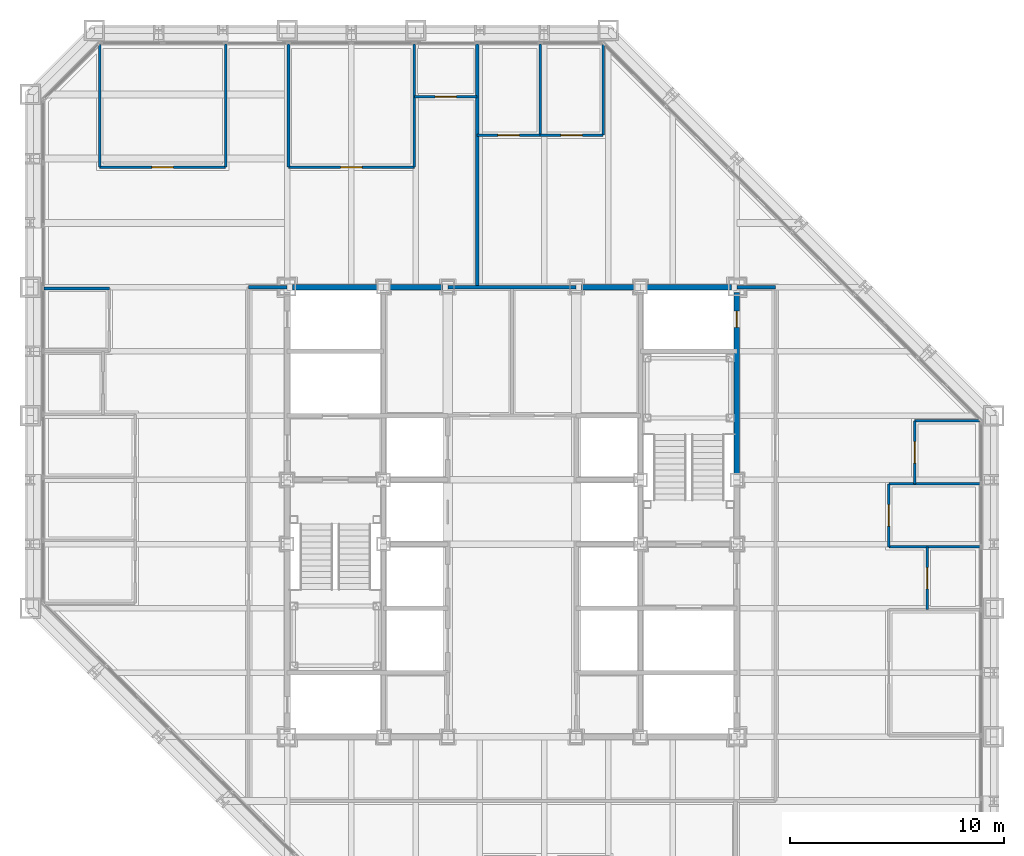
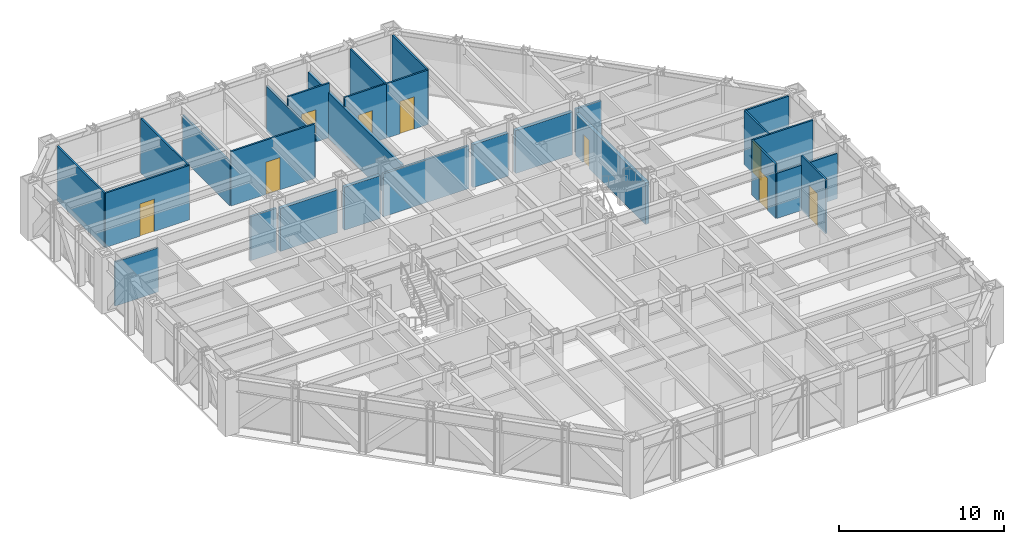
# One storey, part 12 of 16: 27 walls, 9 doors, 9 openings.
"""IFC4 building model written with IfcOpenShell, lengths in metres."""

from ifc_helpers import new_model, si_unit, direction, frame, frame_2d, origin, place, context, subcontext, project, spatial, rectangle, extrude, material, layer, layer_set, type_object, element, fill, save


model = new_model("IFC4")

# Units and contexts
model_context = context("Model", 3, precision=1e-05, world=origin(), true_north=direction((0.0, 1.0)))
body_context = subcontext(model_context, "Body", "Model", "MODEL_VIEW")
ifc_project = project(units=[si_unit("LENGTHUNIT", "METRE"), si_unit("AREAUNIT", "SQUARE_METRE"), si_unit("VOLUMEUNIT", "CUBIC_METRE"), si_unit("PLANEANGLEUNIT", "RADIAN"), si_unit("MASSUNIT", "GRAM", prefix="KILO")], contexts=[model_context])

# Site, building, storey
site_placement = place(None, origin())
site = spatial("IfcSite", under=ifc_project, at=site_placement, CompositionType="ELEMENT")
building_placement = place(site_placement, origin())
building = spatial("IfcBuilding", under=site, at=building_placement, Name="Chuquiago Exchange Tower", CompositionType="ELEMENT")
storey_placement = place(building_placement, frame((0.0, 0.0, 153.0)))
storey = spatial("IfcBuildingStorey", under=building, at=storey_placement, Name="L33", CompositionType="ELEMENT", Elevation=153.0)

# Walls
ifc_material_1 = material(Name="Concrete masonry, fully grouted", Category="masonry")
ifc_layer_1 = layer(ifc_material_1, 0.25)
ifc_layer_set_1 = layer_set([ifc_layer_1], Name="W1 core wall 250")
wall_type_1 = type_object("IfcWallType", Name="W1 core wall 250", PredefinedType="SOLIDWALL", material=ifc_layer_set_1)
wall_1_placement = place(storey_placement, frame((12.25, 33.0, 0.0), z_axis=(0.0, 0.0, 1.0), x_axis=(1.0, 0.0, 0.0)))
element("IfcWall", 1, at=wall_1_placement, inside=storey, type_object=wall_type_1, Name="CW-L33-11-0", PredefinedType="SOLIDWALL", context=body_context, shape_type="SweptSolid", body=[
    extrude(rectangle(XDim=4.0, YDim=0.25, at=frame_2d((2.0, 0.0))), origin(), (0.0, 0.0, 1.0), 3.181396484375),
])
for number, where, z_axis, x_axis, name in (
    (2, (16.75, 33.0, 0.0), (0.0, 0.0, 1.0), (1.0, 0.0, 0.0), "CW-L33-11-1"),
    (3, (25.75, 33.0, 0.0), (0.0, 0.0, 1.0), (1.0, 0.0, 0.0), "CW-L33-12-0"),
):
    element("IfcWall", number, at=place(storey_placement, frame(where, z_axis=z_axis, x_axis=x_axis)), inside=storey, type_object=wall_type_1, Name=name, PredefinedType="SOLIDWALL", context=body_context, shape_type="SweptSolid", body=[
        extrude(rectangle(XDim=2.5, YDim=0.25, at=frame_2d((1.25, 0.0))), origin(), (0.0, 0.0, 1.0), 3.181396484375),
    ])
wall_2_placement = place(storey_placement, frame((28.75, 33.0, 0.0), z_axis=(0.0, 0.0, 1.0), x_axis=(1.0, 0.0, 0.0)))
element("IfcWall", 4, at=wall_2_placement, inside=storey, type_object=wall_type_1, Name="CW-L33-12-1", PredefinedType="SOLIDWALL", context=body_context, shape_type="SweptSolid", body=[
    extrude(rectangle(XDim=4.0, YDim=0.25, at=frame_2d((2.0, 0.0))), origin(), (0.0, 0.0, 1.0), 3.181396484375),
])

# Wall, opening, door
wall_3_placement = place(storey_placement, frame((33.0, 24.25, 0.0), z_axis=(0.0, 0.0, 1.0), x_axis=(0.0, 1.0, 0.0)))
wall_3 = element("IfcWall", 5, at=wall_3_placement, inside=storey, type_object=wall_type_1, Name="CW-L33-25-2", PredefinedType="SOLIDWALL", context=body_context, shape_type="SweptSolid", body=[
    extrude(rectangle(XDim=8.5, YDim=0.25, at=frame_2d((4.25, 0.0))), origin(), (0.0, 0.0, 1.0), 3.11279296875),
])
opening_1_placement = place(wall_3_placement, frame((6.875, 0.0, 0.0)))
opening_1 = element("IfcOpeningElement", 6, at=opening_1_placement, cuts=wall_3, Name="Opening L33-010", PredefinedType="OPENING", context=body_context, shape_type="SweptSolid", body=[
    extrude(rectangle(XDim=0.75, YDim=2.10009765625, at=frame_2d((0.375, 1.050048828125))), frame((0.0, 0.135009765625, 0.0), z_axis=(0.0, -1.0, 0.0), x_axis=(1.0, 0.0, 0.0)), (0.0, 0.0, 1.0), 0.27001953125),
])
ifc_material_2 = material(Name="Steel door, painted", Category="steel")
door_type_1 = type_object("IfcDoorType", Name="D6 riser access door 750x2100", OperationType="SINGLE_SWING_LEFT", PredefinedType="DOOR", material=ifc_material_2)
door_1_placement = place(opening_1_placement, origin())
door_1 = element("IfcDoor", 7, at=door_1_placement, inside=storey, type_object=door_type_1, Name="Riser RE2 door", OperationType="SINGLE_SWING_RIGHT", OverallHeight=2.10009765625, OverallWidth=0.75, PredefinedType="DOOR", context=body_context, shape_type="SweptSolid", body=[
    extrude(rectangle(XDim=0.75, YDim=2.10009765625, at=frame_2d((0.375, 1.050048828125))), frame((0.0, 0.02490234375, 0.0), z_axis=(0.0, -1.0, 0.0), x_axis=(1.0, 0.0, 0.0)), (0.0, 0.0, 1.0), 0.050048828125),
])
fill(opening_1, door_1)

# Walls
ifc_material_3 = material(Name="Gypsum board on steel studs, acoustic insulation", Category="steel")
ifc_layer_2 = layer(ifc_material_3, 0.14990234375)
ifc_layer_set_2 = layer_set([ifc_layer_2], Name="W11 corridor wall 150")
wall_type_2 = type_object("IfcWallType", Name="W11 corridor wall 150", PredefinedType="PARTITIONING", material=ifc_layer_set_2)
for number, where, z_axis, x_axis, name in (
    (8, (10.199951171875, 33.0, 0.0), (0.0, 0.0, 1.0), (1.0, 0.0, 0.0), "PW-L33-CWN"),
    (9, (33.0, 33.0, 0.0), (0.0, 0.0, 1.0), (1.0, 0.0, 0.0), "PW-L33-CEN"),
):
    element("IfcWall", number, at=place(storey_placement, frame(where, z_axis=z_axis, x_axis=x_axis)), inside=storey, type_object=wall_type_2, Name=name, PredefinedType="PARTITIONING", context=body_context, shape_type="SweptSolid", body=[
        extrude(rectangle(XDim=1.800048828125, YDim=0.14990234375, at=frame_2d((0.89990234375, 0.0))), origin(), (0.0, 0.0, 1.0), 3.2705078125),
    ])
ifc_material_4 = material(Name="Gypsum board on twin steel studs, acoustic insulation", Category="steel")
ifc_layer_3 = layer(ifc_material_4, 0.175048828125)
ifc_layer_set_3 = layer_set([ifc_layer_3], Name="W12 tenant demising wall 175")
wall_type_3 = type_object("IfcWallType", Name="W12 tenant demising wall 175", PredefinedType="PARTITIONING", material=ifc_layer_set_3)
wall_4_placement = place(storey_placement, frame((20.875732421875, 44.347412109375, 0.0), z_axis=(0.0, 0.0, 1.0), x_axis=(0.0, -1.0, 0.0)))
element("IfcWall", 10, at=wall_4_placement, inside=storey, type_object=wall_type_3, Name="PW-L33-DN02088", PredefinedType="PARTITIONING", context=body_context, shape_type="SweptSolid", body=[
    extrude(rectangle(XDim=11.347412109375, YDim=0.175048828125, at=frame_2d((5.673828125, 0.0))), origin(), (0.0, 0.0, 1.0), 3.356689453125),
])
ifc_material_5 = material(Name="Gypsum board on steel studs", Category="steel")
ifc_layer_4 = layer(ifc_material_5, 0.14990234375)
ifc_layer_set_4 = layer_set([ifc_layer_4], Name="W3 core partition 150")
wall_type_4 = type_object("IfcWallType", Name="W3 core partition 150", PredefinedType="PARTITIONING", material=ifc_layer_set_4)
wall_5_placement = place(storey_placement, frame((19.5, 33.0, 0.0), z_axis=(0.0, 0.0, 1.0), x_axis=(1.0, 0.0, 0.0)))
element("IfcWall", 11, at=wall_5_placement, inside=storey, type_object=wall_type_4, Name="CW-L33-TB", PredefinedType="PARTITIONING", context=body_context, shape_type="SweptSolid", body=[
    extrude(rectangle(XDim=6.0, YDim=0.14990234375, at=frame_2d((3.0, 0.0))), origin(), (0.0, 0.0, 1.0), 3.181396484375),
])
ifc_material_6 = material(Name="Gypsum board on steel studs", Category="steel")
ifc_layer_5 = layer(ifc_material_6, 0.1201171875)
ifc_layer_set_5 = layer_set([ifc_layer_5], Name="W4 partition 120")
wall_type_5 = type_object("IfcWallType", Name="W4 partition 120", PredefinedType="PARTITIONING", material=ifc_layer_set_5)
wall_6_placement = place(storey_placement, frame((44.347412109375, 20.875732421875, 0.0), z_axis=(0.0, 0.0, 1.0), x_axis=(-1.0, 0.0, 0.0)))
element("IfcWall", 12, at=wall_6_placement, inside=storey, type_object=wall_type_5, Name="PW-L33-E02088", PredefinedType="PARTITIONING", context=body_context, shape_type="SweptSolid", body=[
    extrude(rectangle(XDim=4.247314453125, YDim=0.1201171875, at=frame_2d((2.12353515625, 0.0))), origin(), (0.0, 0.0, 1.0), 3.356689453125),
])
wall_7_placement = place(storey_placement, frame((44.347412109375, 23.813720703125, 0.0), z_axis=(0.0, 0.0, 1.0), x_axis=(-1.0, 0.0, 0.0)))
element("IfcWall", 13, at=wall_7_placement, inside=storey, type_object=wall_type_5, Name="PW-L33-E02381", PredefinedType="PARTITIONING", context=body_context, shape_type="SweptSolid", body=[
    extrude(rectangle(XDim=4.247314453125, YDim=0.1201171875, at=frame_2d((2.12353515625, 0.0))), origin(), (0.0, 0.0, 1.0), 4.0400390625),
])
wall_8_placement = place(storey_placement, frame((44.333984375, 26.75146484375, 0.0), z_axis=(0.0, 0.0, 1.0), x_axis=(-1.0, 0.0, 0.0)))
element("IfcWall", 14, at=wall_8_placement, inside=storey, type_object=wall_type_5, Name="PW-L33-E02675", PredefinedType="PARTITIONING", context=body_context, shape_type="SweptSolid", body=[
    extrude(rectangle(XDim=3.033935546875, YDim=0.1201171875, at=frame_2d((1.51708984375, 0.0))), origin(), (0.0, 0.0, 1.0), 4.0400390625),
])

# Wall, opening, door
wall_9_placement = place(storey_placement, frame((41.89990234375, 17.93798828125, 0.0), z_axis=(0.0, 0.0, 1.0), x_axis=(0.0, 1.0, 0.0)))
wall_9 = element("IfcWall", 15, at=wall_9_placement, inside=storey, type_object=wall_type_5, Name="PW-L33-EF01794", PredefinedType="PARTITIONING", context=body_context, shape_type="SweptSolid", body=[
    extrude(rectangle(XDim=2.937744140625, YDim=0.1201171875, at=frame_2d((1.46875, 0.0))), origin(), (0.0, 0.0, 1.0), 4.0400390625),
])
opening_2_placement = place(wall_9_placement, frame((0.968994140625, 0.0, 0.0)))
opening_2 = element("IfcOpeningElement", 16, at=opening_2_placement, cuts=wall_9, Name="Opening L33-027", PredefinedType="OPENING", context=body_context, shape_type="SweptSolid", body=[
    extrude(rectangle(XDim=1.0, YDim=2.39990234375, at=frame_2d((0.5, 1.199951171875))), frame((0.0, 0.070068359375, 0.0), z_axis=(0.0, -1.0, 0.0), x_axis=(1.0, 0.0, 0.0)), (0.0, 0.0, 1.0), 0.14013671875),
])
ifc_material_7 = material(Name="Timber frame door, full height glazed panel", Category="wood")
door_type_2 = type_object("IfcDoorType", Name="D14 glazed meeting room door 1000x2400", OperationType="SINGLE_SWING_LEFT", PredefinedType="DOOR", material=ifc_material_7)
door_2_placement = place(opening_2_placement, frame((1.0, 0.0, 0.0), z_axis=(0.0, 0.0, 1.0), x_axis=(-1.0, 0.0, 0.0)))
door_2 = element("IfcDoor", 17, at=door_2_placement, inside=storey, type_object=door_type_2, Name="Focus room door", OperationType="SINGLE_SWING_LEFT", OverallHeight=2.39990234375, OverallWidth=1.0, PredefinedType="DOOR", context=body_context, shape_type="SweptSolid", body=[
    extrude(rectangle(XDim=1.0, YDim=2.39990234375, at=frame_2d((0.5, 1.199951171875))), frame((0.0, 0.02490234375, 0.0), z_axis=(0.0, -1.0, 0.0), x_axis=(1.0, 0.0, 0.0)), (0.0, 0.0, 1.0), 0.050048828125),
])
fill(opening_2, door_2)

wall_10_placement = place(storey_placement, frame((40.10009765625, 20.875732421875, 0.0), z_axis=(0.0, 0.0, 1.0), x_axis=(0.0, 1.0, 0.0)))
wall_10 = element("IfcWall", 18, at=wall_10_placement, inside=storey, type_object=wall_type_5, Name="PW-L33-EF02088", PredefinedType="PARTITIONING", context=body_context, shape_type="SweptSolid", body=[
    extrude(rectangle(XDim=2.93798828125, YDim=0.1201171875, at=frame_2d((1.468994140625, 0.0))), origin(), (0.0, 0.0, 1.0), 4.0400390625),
])
opening_3_placement = place(wall_10_placement, frame((0.968994140625, 0.0, 0.0)))
opening_3 = element("IfcOpeningElement", 19, at=opening_3_placement, cuts=wall_10, Name="Opening L33-028", PredefinedType="OPENING", context=body_context, shape_type="SweptSolid", body=[
    extrude(rectangle(XDim=1.0, YDim=2.39990234375, at=frame_2d((0.5, 1.199951171875))), frame((0.0, 0.070068359375, 0.0), z_axis=(0.0, -1.0, 0.0), x_axis=(1.0, 0.0, 0.0)), (0.0, 0.0, 1.0), 0.14013671875),
])
ifc_material_8 = material(Name="Timber door, laminate faced", Category="wood")
door_type_3 = type_object("IfcDoorType", Name="D9 room door 1000x2400", OperationType="SINGLE_SWING_LEFT", PredefinedType="DOOR", material=ifc_material_8)
door_3_placement = place(opening_3_placement, frame((1.0, 0.0, 0.0), z_axis=(0.0, 0.0, 1.0), x_axis=(-1.0, 0.0, 0.0)))
door_3 = element("IfcDoor", 20, at=door_3_placement, inside=storey, type_object=door_type_3, Name="Office door", OperationType="SINGLE_SWING_LEFT", OverallHeight=2.39990234375, OverallWidth=1.0, PredefinedType="DOOR", context=body_context, shape_type="SweptSolid", body=[
    extrude(rectangle(XDim=1.0, YDim=2.39990234375, at=frame_2d((0.5, 1.199951171875))), frame((0.0, 0.02490234375, 0.0), z_axis=(0.0, -1.0, 0.0), x_axis=(1.0, 0.0, 0.0)), (0.0, 0.0, 1.0), 0.050048828125),
])
fill(opening_3, door_3)

wall_11_placement = place(storey_placement, frame((41.300048828125, 23.813720703125, 0.0), z_axis=(0.0, 0.0, 1.0), x_axis=(0.0, 1.0, 0.0)))
wall_11 = element("IfcWall", 21, at=wall_11_placement, inside=storey, type_object=wall_type_5, Name="PW-L33-EF02381", PredefinedType="PARTITIONING", context=body_context, shape_type="SweptSolid", body=[
    extrude(rectangle(XDim=2.937744140625, YDim=0.1201171875, at=frame_2d((1.46875, 0.0))), origin(), (0.0, 0.0, 1.0), 4.0400390625),
])
opening_4_placement = place(wall_11_placement, frame((0.968994140625, 0.0, 0.0)))
opening_4 = element("IfcOpeningElement", 22, at=opening_4_placement, cuts=wall_11, Name="Opening L33-029", PredefinedType="OPENING", context=body_context, shape_type="SweptSolid", body=[
    extrude(rectangle(XDim=1.0, YDim=2.39990234375, at=frame_2d((0.5, 1.199951171875))), frame((0.0, 0.070068359375, 0.0), z_axis=(0.0, -1.0, 0.0), x_axis=(1.0, 0.0, 0.0)), (0.0, 0.0, 1.0), 0.14013671875),
])
door_4_placement = place(opening_4_placement, frame((1.0, 0.0, 0.0), z_axis=(0.0, 0.0, 1.0), x_axis=(-1.0, 0.0, 0.0)))
door_4 = element("IfcDoor", 23, at=door_4_placement, inside=storey, type_object=door_type_3, Name="Pantry door", OperationType="SINGLE_SWING_RIGHT", OverallHeight=2.39990234375, OverallWidth=1.0, PredefinedType="DOOR", context=body_context, shape_type="SweptSolid", body=[
    extrude(rectangle(XDim=1.0, YDim=2.39990234375, at=frame_2d((0.5, 1.199951171875))), frame((0.0, 0.02490234375, 0.0), z_axis=(0.0, -1.0, 0.0), x_axis=(1.0, 0.0, 0.0)), (0.0, 0.0, 1.0), 0.050048828125),
])
fill(opening_4, door_4)

# Walls
wall_12_placement = place(storey_placement, frame((3.24853515625, 44.333984375, 0.0), z_axis=(0.0, 0.0, 1.0), x_axis=(0.0, -1.0, 0.0)))
element("IfcWall", 24, at=wall_12_placement, inside=storey, type_object=wall_type_5, Name="PW-L33-N00325", PredefinedType="PARTITIONING", context=body_context, shape_type="SweptSolid", body=[
    extrude(rectangle(XDim=5.73388671875, YDim=0.1201171875, at=frame_2d((2.866943359375, 0.0))), origin(), (0.0, 0.0, 1.0), 4.0400390625),
])
wall_13_placement = place(storey_placement, frame((9.124267578125, 44.347412109375, 0.0), z_axis=(0.0, 0.0, 1.0), x_axis=(0.0, -1.0, 0.0)))
element("IfcWall", 25, at=wall_13_placement, inside=storey, type_object=wall_type_5, Name="PW-L33-N00912", PredefinedType="PARTITIONING", context=body_context, shape_type="SweptSolid", body=[
    extrude(rectangle(XDim=5.747314453125, YDim=0.1201171875, at=frame_2d((2.87353515625, 0.0))), origin(), (0.0, 0.0, 1.0), 4.0400390625),
])
wall_14_placement = place(storey_placement, frame((12.06201171875, 44.347412109375, 0.0), z_axis=(0.0, 0.0, 1.0), x_axis=(0.0, -1.0, 0.0)))
element("IfcWall", 26, at=wall_14_placement, inside=storey, type_object=wall_type_5, Name="PW-L33-N01206", PredefinedType="PARTITIONING", context=body_context, shape_type="SweptSolid", body=[
    extrude(rectangle(XDim=5.747314453125, YDim=0.1201171875, at=frame_2d((2.87353515625, 0.0))), origin(), (0.0, 0.0, 1.0), 3.2705078125),
])
wall_15_placement = place(storey_placement, frame((17.93798828125, 44.347412109375, 0.0), z_axis=(0.0, 0.0, 1.0), x_axis=(0.0, -1.0, 0.0)))
element("IfcWall", 27, at=wall_15_placement, inside=storey, type_object=wall_type_5, Name="PW-L33-N01794", PredefinedType="PARTITIONING", context=body_context, shape_type="SweptSolid", body=[
    extrude(rectangle(XDim=5.747314453125, YDim=0.1201171875, at=frame_2d((2.87353515625, 0.0))), origin(), (0.0, 0.0, 1.0), 3.356689453125),
])
wall_16_placement = place(storey_placement, frame((23.813720703125, 44.347412109375, 0.0), z_axis=(0.0, 0.0, 1.0), x_axis=(0.0, -1.0, 0.0)))
element("IfcWall", 28, at=wall_16_placement, inside=storey, type_object=wall_type_5, Name="PW-L33-N02381", PredefinedType="PARTITIONING", context=body_context, shape_type="SweptSolid", body=[
    extrude(rectangle(XDim=4.247314453125, YDim=0.1201171875, at=frame_2d((2.12353515625, 0.0))), origin(), (0.0, 0.0, 1.0), 4.0400390625),
])
wall_17_placement = place(storey_placement, frame((26.75146484375, 44.333984375, 0.0), z_axis=(0.0, 0.0, 1.0), x_axis=(0.0, -1.0, 0.0)))
element("IfcWall", 29, at=wall_17_placement, inside=storey, type_object=wall_type_5, Name="PW-L33-N02675", PredefinedType="PARTITIONING", context=body_context, shape_type="SweptSolid", body=[
    extrude(rectangle(XDim=4.23388671875, YDim=0.1201171875, at=frame_2d((2.116943359375, 0.0))), origin(), (0.0, 0.0, 1.0), 4.0400390625),
])

# Wall, opening, door
wall_18_placement = place(storey_placement, frame((3.24853515625, 38.60009765625, 0.0), z_axis=(0.0, 0.0, 1.0), x_axis=(1.0, 0.0, 0.0)))
wall_18 = element("IfcWall", 30, at=wall_18_placement, inside=storey, type_object=wall_type_5, Name="PW-L33-NF00325", PredefinedType="PARTITIONING", context=body_context, shape_type="SweptSolid", body=[
    extrude(rectangle(XDim=5.875732421875, YDim=0.1201171875, at=frame_2d((2.93798828125, 0.0))), origin(), (0.0, 0.0, 1.0), 4.0400390625),
])
opening_5_placement = place(wall_18_placement, frame((2.43798828125, 0.0, 0.0)))
opening_5 = element("IfcOpeningElement", 31, at=opening_5_placement, cuts=wall_18, Name="Opening L33-030", PredefinedType="OPENING", context=body_context, shape_type="SweptSolid", body=[
    extrude(rectangle(XDim=1.0, YDim=2.39990234375, at=frame_2d((0.5, 1.199951171875))), frame((0.0, 0.070068359375, 0.0), z_axis=(0.0, -1.0, 0.0), x_axis=(1.0, 0.0, 0.0)), (0.0, 0.0, 1.0), 0.14013671875),
])
door_5_placement = place(opening_5_placement, origin())
door_5 = element("IfcDoor", 32, at=door_5_placement, inside=storey, type_object=door_type_3, Name="Research office door", OperationType="SINGLE_SWING_LEFT", OverallHeight=2.39990234375, OverallWidth=1.0, PredefinedType="DOOR", context=body_context, shape_type="SweptSolid", body=[
    extrude(rectangle(XDim=1.0, YDim=2.39990234375, at=frame_2d((0.5, 1.199951171875))), frame((0.0, 0.02490234375, 0.0), z_axis=(0.0, -1.0, 0.0), x_axis=(1.0, 0.0, 0.0)), (0.0, 0.0, 1.0), 0.050048828125),
])
fill(opening_5, door_5)

wall_19_placement = place(storey_placement, frame((12.06201171875, 38.60009765625, 0.0), z_axis=(0.0, 0.0, 1.0), x_axis=(1.0, 0.0, 0.0)))
wall_19 = element("IfcWall", 33, at=wall_19_placement, inside=storey, type_object=wall_type_5, Name="PW-L33-NF01206", PredefinedType="PARTITIONING", context=body_context, shape_type="SweptSolid", body=[
    extrude(rectangle(XDim=5.8759765625, YDim=0.1201171875, at=frame_2d((2.93798828125, 0.0))), origin(), (0.0, 0.0, 1.0), 4.0400390625),
])
opening_6_placement = place(wall_19_placement, frame((2.43798828125, 0.0, 0.0)))
opening_6 = element("IfcOpeningElement", 34, at=opening_6_placement, cuts=wall_19, Name="Opening L33-031", PredefinedType="OPENING", context=body_context, shape_type="SweptSolid", body=[
    extrude(rectangle(XDim=1.0, YDim=2.39990234375, at=frame_2d((0.5, 1.199951171875))), frame((0.0, 0.070068359375, 0.0), z_axis=(0.0, -1.0, 0.0), x_axis=(1.0, 0.0, 0.0)), (0.0, 0.0, 1.0), 0.14013671875),
])
door_6_placement = place(opening_6_placement, origin())
door_6 = element("IfcDoor", 35, at=door_6_placement, inside=storey, type_object=door_type_3, Name="Research office door", OperationType="SINGLE_SWING_LEFT", OverallHeight=2.39990234375, OverallWidth=1.0, PredefinedType="DOOR", context=body_context, shape_type="SweptSolid", body=[
    extrude(rectangle(XDim=1.0, YDim=2.39990234375, at=frame_2d((0.5, 1.199951171875))), frame((0.0, 0.02490234375, 0.0), z_axis=(0.0, -1.0, 0.0), x_axis=(1.0, 0.0, 0.0)), (0.0, 0.0, 1.0), 0.050048828125),
])
fill(opening_6, door_6)

wall_20_placement = place(storey_placement, frame((17.93798828125, 41.89990234375, 0.0), z_axis=(0.0, 0.0, 1.0), x_axis=(1.0, 0.0, 0.0)))
wall_20 = element("IfcWall", 36, at=wall_20_placement, inside=storey, type_object=wall_type_5, Name="PW-L33-NF01794", PredefinedType="PARTITIONING", context=body_context, shape_type="SweptSolid", body=[
    extrude(rectangle(XDim=2.937744140625, YDim=0.1201171875, at=frame_2d((1.46875, 0.0))), origin(), (0.0, 0.0, 1.0), 4.0400390625),
])
opening_7_placement = place(wall_20_placement, frame((0.968994140625, 0.0, 0.0)))
opening_7 = element("IfcOpeningElement", 37, at=opening_7_placement, cuts=wall_20, Name="Opening L33-032", PredefinedType="OPENING", context=body_context, shape_type="SweptSolid", body=[
    extrude(rectangle(XDim=1.0, YDim=2.39990234375, at=frame_2d((0.5, 1.199951171875))), frame((0.0, 0.070068359375, 0.0), z_axis=(0.0, -1.0, 0.0), x_axis=(1.0, 0.0, 0.0)), (0.0, 0.0, 1.0), 0.14013671875),
])
door_7_placement = place(opening_7_placement, origin())
door_7 = element("IfcDoor", 38, at=door_7_placement, inside=storey, type_object=door_type_2, Name="Focus room door", OperationType="SINGLE_SWING_RIGHT", OverallHeight=2.39990234375, OverallWidth=1.0, PredefinedType="DOOR", context=body_context, shape_type="SweptSolid", body=[
    extrude(rectangle(XDim=1.0, YDim=2.39990234375, at=frame_2d((0.5, 1.199951171875))), frame((0.0, 0.02490234375, 0.0), z_axis=(0.0, -1.0, 0.0), x_axis=(1.0, 0.0, 0.0)), (0.0, 0.0, 1.0), 0.050048828125),
])
fill(opening_7, door_7)

wall_21_placement = place(storey_placement, frame((20.875732421875, 40.10009765625, 0.0), z_axis=(0.0, 0.0, 1.0), x_axis=(1.0, 0.0, 0.0)))
wall_21 = element("IfcWall", 39, at=wall_21_placement, inside=storey, type_object=wall_type_5, Name="PW-L33-NF02088", PredefinedType="PARTITIONING", context=body_context, shape_type="SweptSolid", body=[
    extrude(rectangle(XDim=2.93798828125, YDim=0.1201171875, at=frame_2d((1.468994140625, 0.0))), origin(), (0.0, 0.0, 1.0), 4.0400390625),
])
opening_8_placement = place(wall_21_placement, frame((0.968994140625, 0.0, 0.0)))
opening_8 = element("IfcOpeningElement", 40, at=opening_8_placement, cuts=wall_21, Name="Opening L33-033", PredefinedType="OPENING", context=body_context, shape_type="SweptSolid", body=[
    extrude(rectangle(XDim=1.0, YDim=2.39990234375, at=frame_2d((0.5, 1.199951171875))), frame((0.0, 0.070068359375, 0.0), z_axis=(0.0, -1.0, 0.0), x_axis=(1.0, 0.0, 0.0)), (0.0, 0.0, 1.0), 0.14013671875),
])
door_8_placement = place(opening_8_placement, origin())
door_8 = element("IfcDoor", 41, at=door_8_placement, inside=storey, type_object=door_type_3, Name="Office door", OperationType="SINGLE_SWING_LEFT", OverallHeight=2.39990234375, OverallWidth=1.0, PredefinedType="DOOR", context=body_context, shape_type="SweptSolid", body=[
    extrude(rectangle(XDim=1.0, YDim=2.39990234375, at=frame_2d((0.5, 1.199951171875))), frame((0.0, 0.02490234375, 0.0), z_axis=(0.0, -1.0, 0.0), x_axis=(1.0, 0.0, 0.0)), (0.0, 0.0, 1.0), 0.050048828125),
])
fill(opening_8, door_8)

wall_22_placement = place(storey_placement, frame((23.813720703125, 40.10009765625, 0.0), z_axis=(0.0, 0.0, 1.0), x_axis=(1.0, 0.0, 0.0)))
wall_22 = element("IfcWall", 42, at=wall_22_placement, inside=storey, type_object=wall_type_5, Name="PW-L33-NF02381", PredefinedType="PARTITIONING", context=body_context, shape_type="SweptSolid", body=[
    extrude(rectangle(XDim=2.937744140625, YDim=0.1201171875, at=frame_2d((1.46875, 0.0))), origin(), (0.0, 0.0, 1.0), 4.0400390625),
])
opening_9_placement = place(wall_22_placement, frame((0.968994140625, 0.0, 0.0)))
opening_9 = element("IfcOpeningElement", 43, at=opening_9_placement, cuts=wall_22, Name="Opening L33-034", PredefinedType="OPENING", context=body_context, shape_type="SweptSolid", body=[
    extrude(rectangle(XDim=1.0, YDim=2.39990234375, at=frame_2d((0.5, 1.199951171875))), frame((0.0, 0.070068359375, 0.0), z_axis=(0.0, -1.0, 0.0), x_axis=(1.0, 0.0, 0.0)), (0.0, 0.0, 1.0), 0.14013671875),
])
door_9_placement = place(opening_9_placement, origin())
door_9 = element("IfcDoor", 44, at=door_9_placement, inside=storey, type_object=door_type_3, Name="Office door", OperationType="SINGLE_SWING_LEFT", OverallHeight=2.39990234375, OverallWidth=1.0, PredefinedType="DOOR", context=body_context, shape_type="SweptSolid", body=[
    extrude(rectangle(XDim=1.0, YDim=2.39990234375, at=frame_2d((0.5, 1.199951171875))), frame((0.0, 0.02490234375, 0.0), z_axis=(0.0, -1.0, 0.0), x_axis=(1.0, 0.0, 0.0)), (0.0, 0.0, 1.0), 0.050048828125),
])
fill(opening_9, door_9)

# Wall
wall_23_placement = place(storey_placement, frame((0.652587890625, 32.93798828125, 0.0), z_axis=(0.0, 0.0, 1.0), x_axis=(1.0, 0.0, 0.0)))
element("IfcWall", 45, at=wall_23_placement, inside=storey, type_object=wall_type_5, Name="PW-L33-W03294", PredefinedType="PARTITIONING", context=body_context, shape_type="SweptSolid", body=[
    extrude(rectangle(XDim=3.04736328125, YDim=0.1201171875, at=frame_2d((1.523681640625, 0.0))), origin(), (0.0, 0.0, 1.0), 3.2705078125),
])

save(model, "model.ifc")
